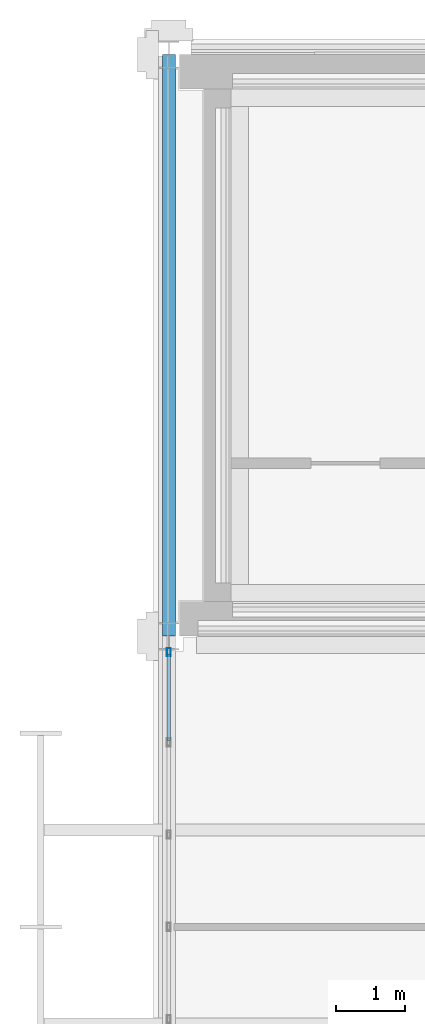
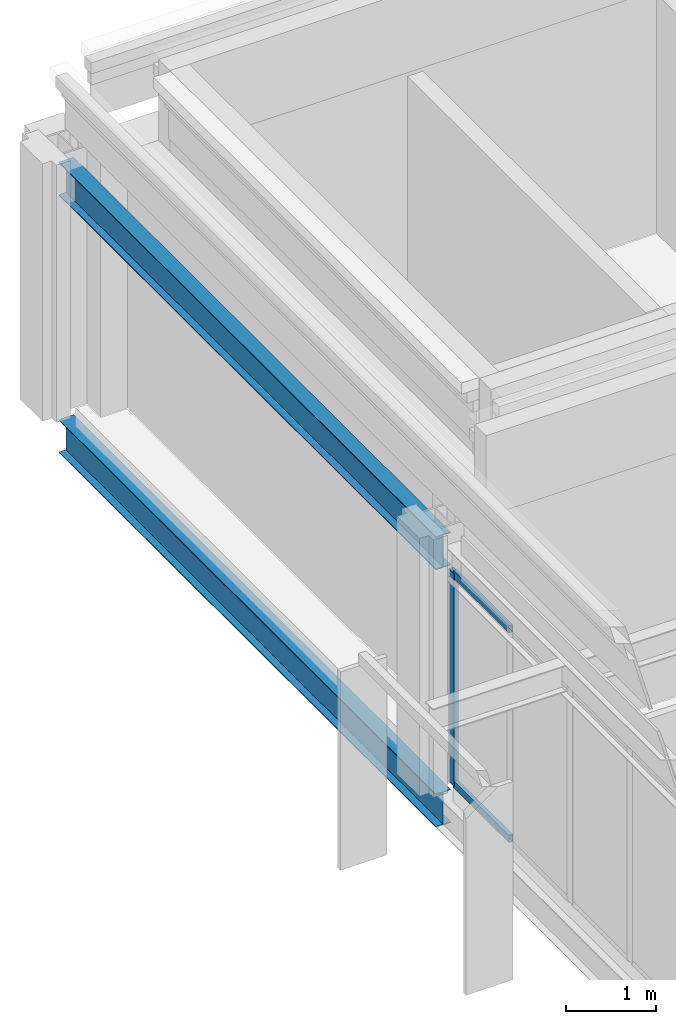
# One storey, part 21 of 31: 3 members, 2 beams, 1 element without a shape of its own.
"""IFC4 building model written with IfcOpenShell, lengths in metres."""

import ifcopenshell
import ifcopenshell.guid

model = None  # the IFC model being written
_history = None  # IfcOwnerHistory: only IFC2X3 demands one
_inside = {}  # id of a spatial element -> (the spatial element, [elements in it])
_under = {}  # id of a project, library or spatial element -> (it, [spatial elements below it])
_declared = {}  # id of a project -> (the project, [libraries it declares])
_typed = {}  # id of a type object -> (the type object, [elements of that type])
_made_of = {}  # id of a material, layer set ... -> (it, [elements and type objects made of it])


def new_model(schema):
    """Start an empty IFC model of exactly this schema.

    Asked for "IFC4X3", IfcOpenShell would pick the latest addendum, in which some entities
    have other attributes; the version numbers below select the first issue.
    IFC2X3 requires an IfcOwnerHistory on every rooted entity: one is made here for all.
    """
    global model, _history
    if schema == "IFC4X3":
        model = ifcopenshell.file(schema_version=(4, 3, 0, 0))
    else:
        model = ifcopenshell.file(schema=schema)
    _inside.clear()
    _under.clear()
    _declared.clear()
    _typed.clear()
    _made_of.clear()
    _history = None
    if model.schema == "IFC2X3":
        org = make("IfcOrganization", Name="unknown")
        user = make(
            "IfcPersonAndOrganization",
            ThePerson=make("IfcPerson", FamilyName="unknown"),
            TheOrganization=org,
        )
        app = make(
            "IfcApplication",
            ApplicationDeveloper=org,
            Version="unknown",
            ApplicationFullName="unknown",
            ApplicationIdentifier="unknown",
        )
        _history = make(
            "IfcOwnerHistory",
            OwningUser=user,
            OwningApplication=app,
            ChangeAction="ADDED",
            CreationDate=0,
        )
    return model


def make(cls, **values):
    """One entity of the class cls with the attributes given. An attribute that is None is left unset."""
    return model.create_entity(
        cls, **{name: value for name, value in values.items() if value is not None}
    )


def rooted(cls, **values):
    """An entity with a GlobalId (a new one), such as an element, a storey or a relation."""
    return make(cls, GlobalId=ifcopenshell.guid.new(), OwnerHistory=_history, **values)


def si_unit(unit_type, name, prefix=None):
    """IfcSIUnit, for example si_unit("LENGTHUNIT", "METRE", prefix="MILLI")."""
    return make("IfcSIUnit", UnitType=unit_type, Prefix=prefix, Name=name)


def assignment(units):
    """IfcUnitAssignment: the units of a project."""
    return None if units is None else make("IfcUnitAssignment", Units=units)


def point(xyz):
    """IfcCartesianPoint."""
    return None if xyz is None else make("IfcCartesianPoint", Coordinates=xyz)


def direction(xyz):
    """IfcDirection."""
    return None if xyz is None else make("IfcDirection", DirectionRatios=xyz)


def frame(location, z_axis=None, x_axis=None):
    """IfcAxis2Placement3D, a coordinate frame: its origin and axes. An axis left out is left unset."""
    return make(
        "IfcAxis2Placement3D",
        Location=point(location),
        Axis=direction(z_axis),
        RefDirection=direction(x_axis),
    )


def frame_2d(location, x_axis=None):
    """IfcAxis2Placement2D, a coordinate frame in the plane: its origin and x axis."""
    return make(
        "IfcAxis2Placement2D", Location=point(location), RefDirection=direction(x_axis)
    )


def origin():
    """The frame at (0, 0, 0) with its axes left unset."""
    return frame((0.0, 0.0, 0.0))


def origin_2d():
    """The frame at (0, 0) in the plane with its x axis left unset."""
    return frame_2d((0.0, 0.0))


def place(relative_to, where):
    """IfcLocalPlacement: puts the frame where relative to a parent placement (None: the world)."""
    return make(
        "IfcLocalPlacement", PlacementRelTo=relative_to, RelativePlacement=where
    )


def context(
    kind, dimensions, precision=None, world=None, true_north=None, identifier=None
):
    """IfcGeometricRepresentationContext, for example the 3D "Model" context."""
    return make(
        "IfcGeometricRepresentationContext",
        ContextIdentifier=identifier,
        ContextType=kind,
        CoordinateSpaceDimension=dimensions,
        Precision=precision,
        WorldCoordinateSystem=world,
        TrueNorth=true_north,
    )


def subcontext(parent, identifier, kind, view, scale=None):
    """IfcGeometricRepresentationSubContext, for example "Body" below "Model"."""
    return make(
        "IfcGeometricRepresentationSubContext",
        ContextIdentifier=identifier,
        ContextType=kind,
        ParentContext=parent,
        TargetScale=scale,
        TargetView=view,
    )


def project(units=None, contexts=None):
    """IfcProject with its units and contexts."""
    return rooted(
        "IfcProject",
        Name="project",
        RepresentationContexts=contexts,
        UnitsInContext=assignment(units),
    )


def spatial(cls, under=None, at=None, **own):
    """A site, building, storey or space (cls), placed at a placement, below another one or the project."""
    s = rooted(cls, ObjectPlacement=at, **own)
    if under is not None:
        _under.setdefault(under.id(), (under, []))[1].append(s)
    return s


def profile(cls, at=None, kind="AREA", **sizes):
    """A parametric profile (cls). Its sizes go by their IFC names, for example OverallWidth=200.0."""
    return make(cls, ProfileType=kind, Position=at, **sizes)


def hollow_rectangle(**sizes):
    """IfcRectangleHollowProfileDef."""
    return profile("IfcRectangleHollowProfileDef", **sizes)


def i_section(**sizes):
    """IfcIShapeProfileDef."""
    return profile("IfcIShapeProfileDef", **sizes)


def extrude(swept, where, along, depth):
    """IfcExtrudedAreaSolid: the profile swept, set in the frame where, extruded along a direction by depth."""
    return make(
        "IfcExtrudedAreaSolid",
        SweptArea=swept,
        Position=where,
        ExtrudedDirection=direction(along),
        Depth=depth,
    )


def shape(context_of_items, identifier, shape_type, items):
    """IfcShapeRepresentation: the items that make up one representation, for example the "Body"."""
    return make(
        "IfcShapeRepresentation",
        ContextOfItems=context_of_items,
        RepresentationIdentifier=identifier,
        RepresentationType=shape_type,
        Items=items,
    )


def material(Name=None, Category=None):
    """IfcMaterial."""
    return make("IfcMaterial", Name=Name, Category=Category)


def material_profile(
    of_material, cross_section, Name=None, Category=None, Priority=None
):
    """IfcMaterialProfile: a cross section and its material."""
    return make(
        "IfcMaterialProfile",
        Name=Name,
        Material=of_material,
        Profile=cross_section,
        Priority=Priority,
        Category=Category,
    )


def profile_set(profiles, Name=None, composite=None):
    """IfcMaterialProfileSet."""
    return make(
        "IfcMaterialProfileSet",
        Name=Name,
        MaterialProfiles=profiles,
        CompositeProfile=composite,
    )


def made_of(thing, what):
    """Note that an element or type object is made of a material, layer set ...; save() writes the relation."""
    if what is not None:
        _made_of.setdefault(what.id(), (what, []))[1].append(thing)
    return thing


def type_object(cls, material=None, **own):
    """A type object (cls), such as IfcWallType, which elements share."""
    return made_of(rooted(cls, **own), material)


def element(
    cls,
    number,
    at=None,
    inside=None,
    cuts=None,
    type_object=None,
    material=None,
    context=None,
    identifier="Body",
    shape_type=None,
    held_by="IfcProductDefinitionShape",
    body=None,
    shapes=None,
    **own,
):
    """One element of the class cls, such as IfcWall. Its Tag is "e" and its number.

    at: its placement. inside: the storey or other place that contains it. cuts: it is an
    opening in that element (IfcRelVoidsElement). A single representation is given by context,
    identifier, shape_type and body (its items); several are given by shapes. held_by: the class
    of the entity that holds the representations. save() writes the other relations.
    """
    e = rooted(cls, Tag="e%d" % number, ObjectPlacement=at, **own)
    if body is not None:
        shapes = [shape(context, identifier, shape_type, body)]
    if shapes is not None:
        e.Representation = make(held_by, Representations=shapes)
    if inside is not None:
        _inside.setdefault(inside.id(), (inside, []))[1].append(e)
    if cuts is not None:
        rooted(
            "IfcRelVoidsElement", RelatingBuildingElement=cuts, RelatedOpeningElement=e
        )
    if type_object is not None:
        _typed.setdefault(type_object.id(), (type_object, []))[1].append(e)
    return made_of(e, material)


def aggregate(whole, parts):
    """IfcRelAggregates: a whole, such as a stair, and the parts it consists of."""
    return rooted("IfcRelAggregates", RelatingObject=whole, RelatedObjects=parts)


def save(model, path):
    """Write the relations noted so far, then the file.

    IfcRelAggregates (storeys below a building ...), IfcRelContainedInSpatialStructure (elements
    in a storey), IfcRelDefinesByType, IfcRelAssociatesMaterial and IfcRelDeclares: one each for
    every whole, place, type object, material and project.
    """
    for whole, parts in _under.values():
        aggregate(whole, parts)
    for where, things in _inside.values():
        rooted(
            "IfcRelContainedInSpatialStructure",
            RelatedElements=things,
            RelatingStructure=where,
        )
    for kind, things in _typed.values():
        rooted("IfcRelDefinesByType", RelatedObjects=things, RelatingType=kind)
    for what, things in _made_of.values():
        rooted("IfcRelAssociatesMaterial", RelatedObjects=things, RelatingMaterial=what)
    for by, libraries in _declared.values():
        rooted("IfcRelDeclares", RelatingContext=by, RelatedDefinitions=libraries)
    model.write(path)


model = new_model("IFC4")

# Units and contexts
model_context = context("Model", 3, precision=1e-05, world=origin(), true_north=direction((0.0, 1.0)))
body_context = subcontext(model_context, "Body", "Model", "MODEL_VIEW")
ifc_project = project(units=[si_unit("LENGTHUNIT", "METRE"), si_unit("AREAUNIT", "SQUARE_METRE"), si_unit("VOLUMEUNIT", "CUBIC_METRE"), si_unit("PLANEANGLEUNIT", "RADIAN"), si_unit("MASSUNIT", "GRAM", prefix="KILO")], contexts=[model_context])

# Site, building, storey
site_placement = place(None, origin())
site = spatial("IfcSite", under=ifc_project, at=site_placement, CompositionType="ELEMENT")
building_placement = place(site_placement, origin())
building = spatial("IfcBuilding", under=site, at=building_placement, Name="Catenary Quay Ferry Terminal", CompositionType="ELEMENT")
storey_placement = place(building_placement, frame((0.0, 0.0, 20.60009765625)))
storey = spatial("IfcBuildingStorey", under=building, at=storey_placement, Name="L04", CompositionType="ELEMENT", Elevation=20.60009765625)

# Beams
ifc_material_1 = material(Name="Steel S355", Category="steel")
ifc_material_profile_1 = material_profile(ifc_material_1, i_section(OverallWidth=0.18994140625, OverallDepth=0.453369140625, WebThickness=0.008544921875, FlangeThickness=0.0126953125, at=origin_2d()), Name="UB 457x191x67")
ifc_profile_set_1 = profile_set([ifc_material_profile_1], Name="Steel S355")
beam_type = type_object("IfcBeamType", Name="B1 UB 457x191x67", PredefinedType="BEAM", material=ifc_profile_set_1)
for number, where, z_axis, x_axis, name in (
    (1, (25.199951171875, 201.60009765625, -0.47705078125), (0.0, 1.0, 0.0), (-1.0, 0.0, 0.0), "Beam B1-015"),
    (2, (25.199951171875, 201.60009765625, 3.02294921875), (0.0, 1.0, 0.0), (-1.0, 0.0, 0.0), "Beam B1-012"),
):
    element("IfcBeam", number, at=place(storey_placement, frame(where, z_axis=z_axis, x_axis=x_axis)), inside=storey, type_object=beam_type, Name=name, PredefinedType="BEAM", context=body_context, shape_type="SweptSolid", body=[
        extrude(i_section(OverallWidth=0.18994140625, OverallDepth=0.453369140625, WebThickness=0.008544921875, FlangeThickness=0.0126953125, at=origin_2d()), origin(), (0.0, 0.0, 1.0), 8.39990234375),
    ])

# Curtain wall, members
ifc_material_2 = material(Name="Aluminium and glass", Category="aluminium")
curtain_wall_type = type_object("IfcCurtainWallType", Name="CWW5", PredefinedType="NOTDEFINED", material=ifc_material_2)
curtain_wall_placement = place(storey_placement, origin())
curtain_wall = element("IfcCurtainWall", 3, at=curtain_wall_placement, inside=storey, type_object=curtain_wall_type, Name="Wing curtain wall CW157", PredefinedType="NOTDEFINED")
ifc_material_3 = material(Name="Aluminium", Category="aluminium")
ifc_material_profile_2 = material_profile(ifc_material_3, hollow_rectangle(XDim=0.06005859375, YDim=0.1201171875, WallThickness=0.0048828125, at=origin_2d()), Name="MU4")
ifc_profile_set_2 = profile_set([ifc_material_profile_2], Name="Aluminium")
member_type_1 = type_object("IfcMemberType", Name="MU4", PredefinedType="MULLION", material=ifc_profile_set_2)
member_1_placement = place(storey_placement, frame((25.199951171875, 201.3701171875, 0.0), z_axis=(0.0, 0.0, 1.0), x_axis=(-1.0, 0.0, 0.0)))
member_1 = element("IfcMember", 4, at=member_1_placement, type_object=member_type_1, Name="CW157 mullion 7", PredefinedType="MULLION", context=body_context, shape_type="SweptSolid", body=[
    extrude(hollow_rectangle(XDim=0.06005859375, YDim=0.1201171875, WallThickness=0.0048828125, at=origin_2d()), origin(), (0.0, 0.0, 1.0), 2.89990234375),
])
ifc_material_4 = material(Name="Aluminium", Category="aluminium")
ifc_material_profile_3 = material_profile(ifc_material_4, hollow_rectangle(XDim=0.050048828125, YDim=0.10009765625, WallThickness=0.00390625, at=origin_2d()), Name="TR4")
ifc_profile_set_3 = profile_set([ifc_material_profile_3], Name="Aluminium")
member_type_2 = type_object("IfcMemberType", Name="TR4", PredefinedType="USERDEFINED", material=ifc_profile_set_3)
member_2_placement = place(storey_placement, frame((25.199951171875, 200.0966796875, 0.02490234375), z_axis=(0.0, 1.0, 0.0), x_axis=(-1.0, 0.0, 0.0)))
member_2 = element("IfcMember", 5, at=member_2_placement, type_object=member_type_2, Name="CW157 transom 6.1", ObjectType="TRANSOM", PredefinedType="USERDEFINED", context=body_context, shape_type="SweptSolid", body=[
    extrude(hollow_rectangle(XDim=0.050048828125, YDim=0.10009765625, WallThickness=0.00390625, at=origin_2d()), origin(), (0.0, 0.0, 1.0), 1.243408203125),
])
member_3_placement = place(storey_placement, frame((25.199951171875, 200.0966796875, 2.875), z_axis=(0.0, 1.0, 0.0), x_axis=(-1.0, 0.0, 0.0)))
member_3 = element("IfcMember", 6, at=member_3_placement, type_object=member_type_2, Name="CW157 transom 6.2", ObjectType="TRANSOM", PredefinedType="USERDEFINED", context=body_context, shape_type="SweptSolid", body=[
    extrude(hollow_rectangle(XDim=0.050048828125, YDim=0.10009765625, WallThickness=0.00390625, at=origin_2d()), origin(), (0.0, 0.0, 1.0), 1.243408203125),
])
aggregate(curtain_wall, [member_1, member_2, member_3])

save(model, "model.ifc")
